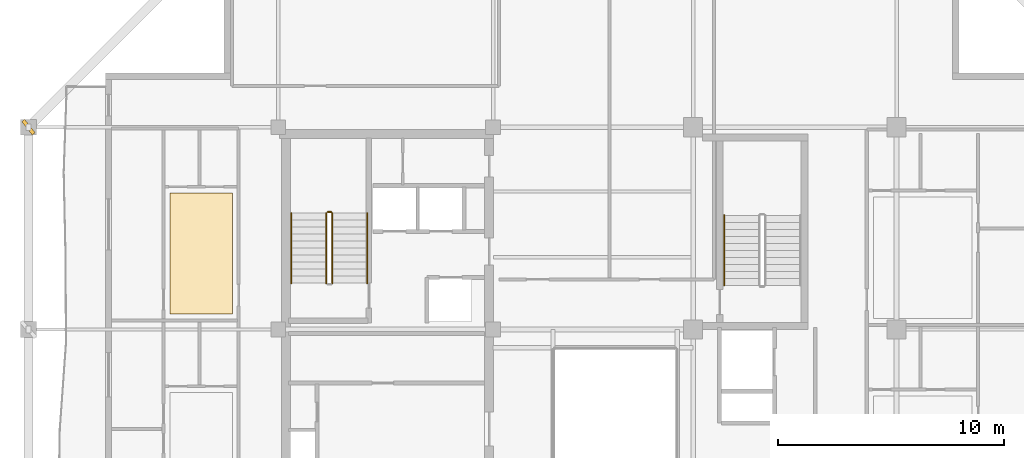
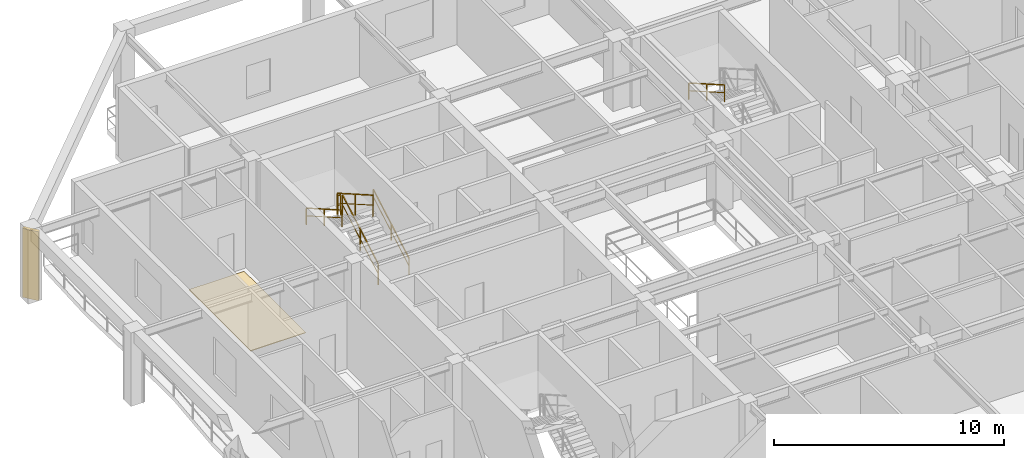
# One storey, part 11 of 13: 6 railings, 1 covering, 1 shading device.
"""IFC4 building model written with IfcOpenShell, lengths in metres."""

from ifc_helpers import new_model, si_unit, direction, frame, origin, origin_2d, place, context, subcontext, project, spatial, polyline, rectangle, outline, extrude, material, layer, layer_set, type_object, element, save


model = new_model("IFC4")

# Units and contexts
model_context = context("Model", 3, precision=1e-05, world=origin(), true_north=direction((0.0, 1.0)))
body_context = subcontext(model_context, "Body", "Model", "MODEL_VIEW")
ifc_project = project(units=[si_unit("LENGTHUNIT", "METRE"), si_unit("AREAUNIT", "SQUARE_METRE"), si_unit("VOLUMEUNIT", "CUBIC_METRE"), si_unit("PLANEANGLEUNIT", "RADIAN"), si_unit("MASSUNIT", "GRAM", prefix="KILO")], contexts=[model_context])

# Site, building, storey
site_placement = place(None, origin())
site = spatial("IfcSite", under=ifc_project, at=site_placement, CompositionType="ELEMENT")
building_placement = place(site_placement, origin())
building = spatial("IfcBuilding", under=site, at=building_placement, Name="Kundavana Baori Tower", CompositionType="ELEMENT")
storey_placement = place(building_placement, frame((0.0, 0.0, 229.699951171875)))
storey = spatial("IfcBuildingStorey", under=building, at=storey_placement, Name="L56", CompositionType="ELEMENT", Elevation=229.699951171875)

# Covering
ifc_material_1 = material(Name="Honed Kota Stone and Terrazzo Flooring", Category="masonry")
ifc_layer = layer(ifc_material_1, 0.030029296875, Name="COV-INT-FLR")
ifc_layer_set = layer_set([ifc_layer], Name="Honed Kota Stone and Terrazzo Flooring")
covering_type = type_object("IfcCoveringType", Name="COV-INT-FLR", PredefinedType="FLOORING", material=ifc_layer_set)
covering_placement = place(storey_placement, origin())
element("IfcCovering", 1, at=covering_placement, inside=storey, type_object=covering_type, Name="L56 Room Finished Stone Flooring 3", PredefinedType="FLOORING", context=body_context, shape_type="SweptSolid", body=[
    extrude(outline(polyline([(10.64990234375, 33.679931640625), (13.419921875, 33.679931640625), (13.419921875, 39.0400390625), (10.64990234375, 39.0400390625), (10.64990234375, 33.679931640625)])), origin(), (0.0, 0.0, 1.0), 0.030029296875),
])

# Railings
ifc_material_2 = material(Name="Architectural Patinated Bronze Metalwork")
railing_type_1 = type_object("IfcRailingType", Name="RL-GRD-1150", PredefinedType="GUARDRAIL", material=ifc_material_2)
railing_1_placement = place(storey_placement, frame((17.840087890625, 35.050048828125, 0.17724609375)))
element("IfcRailing", 2, at=railing_1_placement, inside=storey, type_object=railing_type_1, Name="L56 ST2 stair guard 1", PredefinedType="GUARDRAIL", context=body_context, shape_type="SweptSolid", body=[
    extrude(rectangle(XDim=0.048095703125, YDim=0.048095703125, at=origin_2d()), frame((0.0, 0.0, 1.1259765625), z_axis=(0.0, 0.868079009454, 0.496426060301), x_axis=(-1.0, 0.0, 0.0)), (0.0, 0.0, 1.0), 3.571044921875),
    extrude(rectangle(XDim=0.03125, YDim=0.03125, at=origin_2d()), frame((0.0, 0.0, 0.597900390625), z_axis=(0.0, 0.868079009454, 0.496426060301), x_axis=(-1.0, 0.0, 0.0)), (0.0, 0.0, 1.0), 3.571044921875),
    extrude(rectangle(XDim=0.0419921875, YDim=0.0419921875, at=origin_2d()), origin(), (0.0, 0.0, 1.0), 1.101806640625),
    extrude(rectangle(XDim=0.0419921875, YDim=0.0419921875, at=origin_2d()), frame((0.0, 1.5498046875, 0.88623046875)), (0.0, 0.0, 1.0), 1.101806640625),
    extrude(rectangle(XDim=0.0419921875, YDim=0.0419921875, at=origin_2d()), frame((0.0, 3.099853515625, 1.772705078125)), (0.0, 0.0, 1.0), 1.101806640625),
])
railing_2_placement = place(storey_placement, frame((17.7900390625, 38.199951171875, 1.949951171875)))
element("IfcRailing", 3, at=railing_2_placement, inside=storey, type_object=railing_type_1, Name="L56 ST2 stair guard 2", PredefinedType="GUARDRAIL", context=body_context, shape_type="SweptSolid", body=[
    extrude(rectangle(XDim=0.048095703125, YDim=0.048095703125, at=origin_2d()), frame((0.0, 0.0, 1.1259765625), z_axis=(-1.0, 0.0, 0.0), x_axis=(0.0, -1.0, 0.0)), (0.0, 0.0, 1.0), 0.16015625),
    extrude(rectangle(XDim=0.03125, YDim=0.03125, at=origin_2d()), frame((0.0, 0.0, 0.597900390625), z_axis=(-1.0, 0.0, 0.0), x_axis=(0.0, -1.0, 0.0)), (0.0, 0.0, 1.0), 0.16015625),
    extrude(rectangle(XDim=0.0419921875, YDim=0.0419921875, at=origin_2d()), origin(), (0.0, 0.0, 1.0), 1.101806640625),
    extrude(rectangle(XDim=0.0419921875, YDim=0.0419921875, at=origin_2d()), frame((-0.16015625, 0.0, 0.0)), (0.0, 0.0, 1.0), 1.101806640625),
])
railing_3_placement = place(storey_placement, frame((17.580078125, 38.14990234375, 2.12744140625)))
element("IfcRailing", 4, at=railing_3_placement, inside=storey, type_object=railing_type_1, Name="L56 ST2 stair guard 3", PredefinedType="GUARDRAIL", context=body_context, shape_type="SweptSolid", body=[
    extrude(rectangle(XDim=0.048095703125, YDim=0.048095703125, at=origin_2d()), frame((0.0, 0.0, 1.1259765625), z_axis=(0.0, -0.868079009454, 0.496426060301), x_axis=(1.0, 0.0, 0.0)), (0.0, 0.0, 1.0), 3.571044921875),
    extrude(rectangle(XDim=0.03125, YDim=0.03125, at=origin_2d()), frame((0.0, 0.0, 0.597900390625), z_axis=(0.0, -0.868079009454, 0.496426060301), x_axis=(1.0, 0.0, 0.0)), (0.0, 0.0, 1.0), 3.571044921875),
    extrude(rectangle(XDim=0.0419921875, YDim=0.0419921875, at=origin_2d()), origin(), (0.0, 0.0, 1.0), 1.101806640625),
    extrude(rectangle(XDim=0.0419921875, YDim=0.0419921875, at=origin_2d()), frame((0.0, -1.5498046875, 0.88623046875)), (0.0, 0.0, 1.0), 1.101806640625),
    extrude(rectangle(XDim=0.0419921875, YDim=0.0419921875, at=origin_2d()), frame((0.0, -3.099853515625, 1.772705078125)), (0.0, 0.0, 1.0), 1.101806640625),
])
ifc_material_3 = material(Name="Architectural Patinated Bronze Metalwork")
railing_type_2 = type_object("IfcRailingType", Name="RL-HND-920", PredefinedType="HANDRAIL", material=ifc_material_3)
railing_4_placement = place(storey_placement, frame((19.389892578125, 35.050048828125, 0.17724609375)))
element("IfcRailing", 5, at=railing_4_placement, inside=storey, type_object=railing_type_2, Name="L56 ST2 stair handrail 1", PredefinedType="HANDRAIL", context=body_context, shape_type="SweptSolid", body=[
    extrude(rectangle(XDim=0.048095703125, YDim=0.048095703125, at=origin_2d()), frame((0.0, 0.0, 0.8759765625), z_axis=(0.0, 0.868079009454, 0.496426060301), x_axis=(-1.0, 0.0, 0.0)), (0.0, 0.0, 1.0), 3.571044921875),
    extrude(rectangle(XDim=0.03125, YDim=0.03125, at=origin_2d()), frame((0.0, 0.0, 0.468017578125), z_axis=(0.0, 0.868079009454, 0.496426060301), x_axis=(-1.0, 0.0, 0.0)), (0.0, 0.0, 1.0), 3.571044921875),
    extrude(rectangle(XDim=0.0419921875, YDim=0.0419921875, at=origin_2d()), origin(), (0.0, 0.0, 1.0), 0.851806640625),
    extrude(rectangle(XDim=0.0419921875, YDim=0.0419921875, at=origin_2d()), frame((0.0, 1.5498046875, 0.88623046875)), (0.0, 0.0, 1.0), 0.851806640625),
    extrude(rectangle(XDim=0.0419921875, YDim=0.0419921875, at=origin_2d()), frame((0.0, 3.099853515625, 1.772705078125)), (0.0, 0.0, 1.0), 0.851806640625),
])
railing_5_placement = place(storey_placement, frame((16.030029296875, 38.14990234375, 2.12744140625)))
element("IfcRailing", 6, at=railing_5_placement, inside=storey, type_object=railing_type_2, Name="L56 ST2 stair handrail 2", PredefinedType="HANDRAIL", context=body_context, shape_type="SweptSolid", body=[
    extrude(rectangle(XDim=0.048095703125, YDim=0.048095703125, at=origin_2d()), frame((0.0, 0.0, 0.8759765625), z_axis=(0.0, -0.868079009454, 0.496426060301), x_axis=(1.0, 0.0, 0.0)), (0.0, 0.0, 1.0), 3.571044921875),
    extrude(rectangle(XDim=0.03125, YDim=0.03125, at=origin_2d()), frame((0.0, 0.0, 0.468017578125), z_axis=(0.0, -0.868079009454, 0.496426060301), x_axis=(1.0, 0.0, 0.0)), (0.0, 0.0, 1.0), 3.571044921875),
    extrude(rectangle(XDim=0.0419921875, YDim=0.0419921875, at=origin_2d()), origin(), (0.0, 0.0, 1.0), 0.851806640625),
    extrude(rectangle(XDim=0.0419921875, YDim=0.0419921875, at=origin_2d()), frame((0.0, -1.5498046875, 0.88623046875)), (0.0, 0.0, 1.0), 0.851806640625),
    extrude(rectangle(XDim=0.0419921875, YDim=0.0419921875, at=origin_2d()), frame((0.0, -3.099853515625, 1.772705078125)), (0.0, 0.0, 1.0), 0.851806640625),
])
railing_6_placement = place(storey_placement, frame((35.169921875, 38.050048828125, 2.12744140625)))
element("IfcRailing", 7, at=railing_6_placement, inside=storey, type_object=railing_type_2, Name="L56 ST3 stair handrail 2", PredefinedType="HANDRAIL", context=body_context, shape_type="SweptSolid", body=[
    extrude(rectangle(XDim=0.048095703125, YDim=0.048095703125, at=origin_2d()), frame((0.0, 0.0, 0.8759765625), z_axis=(0.0, -0.868095856688, 0.496396599103), x_axis=(1.0, 0.0, 0.0)), (0.0, 0.0, 1.0), 3.571044921875),
    extrude(rectangle(XDim=0.03125, YDim=0.03125, at=origin_2d()), frame((0.0, 0.0, 0.468017578125), z_axis=(0.0, -0.868095856688, 0.496396599103), x_axis=(1.0, 0.0, 0.0)), (0.0, 0.0, 1.0), 3.571044921875),
    extrude(rectangle(XDim=0.0419921875, YDim=0.0419921875, at=origin_2d()), origin(), (0.0, 0.0, 1.0), 0.851806640625),
    extrude(rectangle(XDim=0.0419921875, YDim=0.0419921875, at=origin_2d()), frame((0.0, -1.550048828125, 0.88623046875)), (0.0, 0.0, 1.0), 0.851806640625),
    extrude(rectangle(XDim=0.0419921875, YDim=0.0419921875, at=origin_2d()), frame((0.0, -3.10009765625, 1.772705078125)), (0.0, 0.0, 1.0), 0.851806640625),
])

# Shading device
ifc_material_4 = material(Name="Red-Buff Dholpur Sandstone Cladding on Concrete C40/50", Category="masonry")
shading_device_type = type_object("IfcShadingDeviceType", Name="SHD-FIN-750", PredefinedType="JALOUSIE", material=ifc_material_4)
shading_device_placement = place(storey_placement, frame((4.39990234375, 41.949951171875, 0.0), z_axis=(0.0, 0.0, 1.0), x_axis=(0.785424971197, 0.61895687622, 0.0)))
element("IfcShadingDevice", 8, at=shading_device_placement, inside=storey, type_object=shading_device_type, Name="L56 Sweeping Dholpur Sandstone Facade Fin 8", PredefinedType="JALOUSIE", context=body_context, shape_type="SweptSolid", body=[
    extrude(rectangle(XDim=0.159912109375, YDim=0.75, at=origin_2d()), origin(), (0.0, 0.0, 1.0), 3.659912109375),
])

save(model, "model.ifc")
